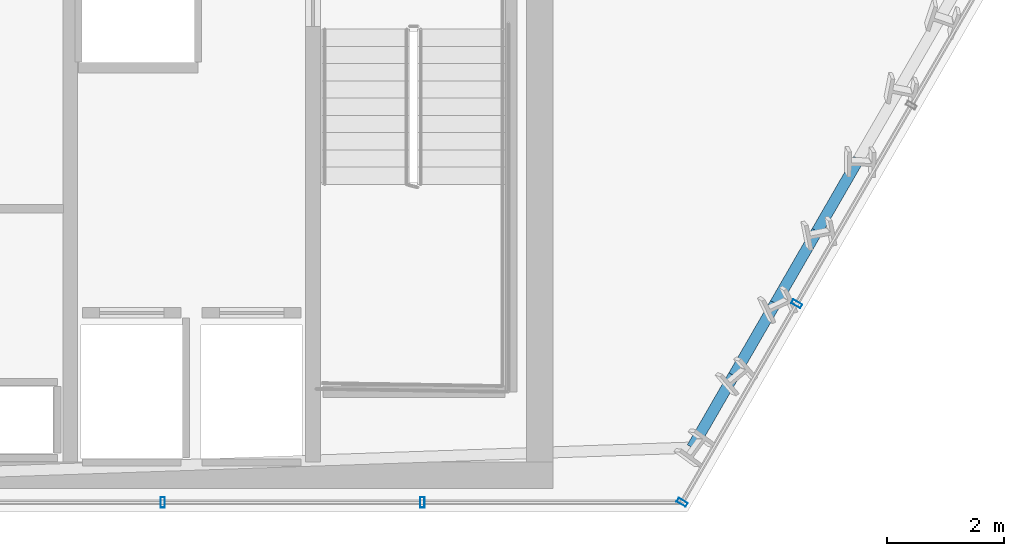
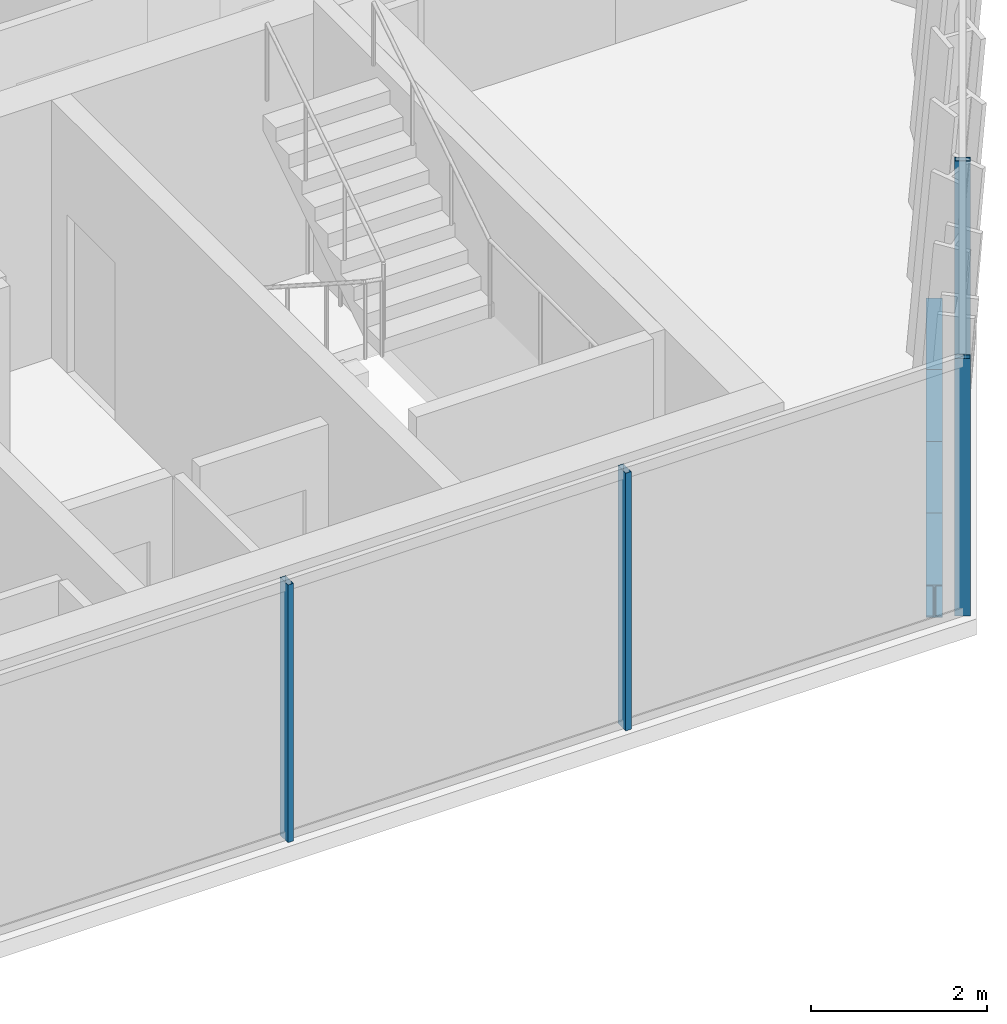
# One storey, part 15 of 31: 4 beams, 4 members, 2 elements without a shape of their own.
"""IFC4 building model written with IfcOpenShell, lengths in metres."""

from ifc_helpers import new_model, si_unit, direction, frame, origin, origin_2d, place, context, subcontext, project, spatial, hollow_rectangle, i_section, extrude, material, layer, layer_set, material_profile, profile_set, type_object, element, aggregate, save


model = new_model("IFC4")

# Units and contexts
model_context = context("Model", 3, precision=1e-05, world=origin(), true_north=direction((0.0, 1.0)))
body_context = subcontext(model_context, "Body", "Model", "MODEL_VIEW")
ifc_project = project(units=[si_unit("LENGTHUNIT", "METRE"), si_unit("AREAUNIT", "SQUARE_METRE"), si_unit("VOLUMEUNIT", "CUBIC_METRE"), si_unit("PLANEANGLEUNIT", "RADIAN"), si_unit("MASSUNIT", "GRAM", prefix="KILO")], contexts=[model_context])

# Site, building, storey
site_placement = place(None, origin())
site = spatial("IfcSite", under=ifc_project, at=site_placement, CompositionType="ELEMENT")
building_placement = place(site_placement, origin())
building = spatial("IfcBuilding", under=site, at=building_placement, Name="Ndaravel Arena Tower", CompositionType="ELEMENT")
storey_placement = place(building_placement, frame((0.0, 0.0, 146.0)))
storey = spatial("IfcBuildingStorey", under=building, at=storey_placement, Name="L34", CompositionType="ELEMENT", Elevation=146.0)

# Beams
ifc_material_1 = material(Name="Steel S355", Category="steel")
ifc_material_profile_1 = material_profile(ifc_material_1, i_section(OverallWidth=0.18994140625, OverallDepth=0.449951171875, WebThickness=0.009521484375, FlangeThickness=0.0146484375, FilletRadius=0.02099609375, at=origin_2d()), Name="IPE 450")
ifc_profile_set_1 = profile_set([ifc_material_profile_1], Name="Steel S355")
beam_type = type_object("IfcBeamType", Name="BM-SPAN-IPE450", PredefinedType="SPANDREL", material=ifc_profile_set_1)
for number, where, z_axis, x_axis, name in (
    (1, (59.931396484375, 6.096435546875, -0.445068359375), (0.500049018998, 0.865997100803, 0.0), (-0.865997100803, 0.500049018998, 0.0), "L34 Perimeter Spandrel Beam SP-02"),
    (2, (60.643310546875, 7.329345703125, -0.445068359375), (0.499920397431, 0.866071357471, 0.0), (-0.866071357471, 0.499920397431, 0.0), "L34 Perimeter Spandrel Beam SP-03"),
    (3, (61.35498046875, 8.562255859375, -0.445068359375), (0.500049018998, 0.865997100803, 0.0), (-0.865997100803, 0.500049018998, 0.0), "L34 Perimeter Spandrel Beam SP-04"),
    (4, (62.06689453125, 9.795166015625, -0.445068359375), (0.500049018998, 0.865997100803, 0.0), (-0.865997100803, 0.500049018998, 0.0), "L34 Perimeter Spandrel Beam SP-05"),
):
    element("IfcBeam", number, at=place(storey_placement, frame(where, z_axis=z_axis, x_axis=x_axis)), inside=storey, type_object=beam_type, Name=name, PredefinedType="SPANDREL", context=body_context, shape_type="SweptSolid", body=[
        extrude(i_section(OverallWidth=0.18994140625, OverallDepth=0.449951171875, WebThickness=0.009521484375, FlangeThickness=0.0146484375, FilletRadius=0.02099609375, at=origin_2d()), origin(), (0.0, 0.0, 1.0), 1.423583984375),
    ])

# Curtain wall, members
ifc_material_2 = material(Name="Aluminium", Category="aluminium")
ifc_layer_1 = layer(ifc_material_2, 0.179931640625)
ifc_layer_set_1 = layer_set([ifc_layer_1], Name="Aluminium")
curtain_wall_type_1 = type_object("IfcCurtainWallType", Name="CW-SYS-03", PredefinedType="NOTDEFINED", material=ifc_layer_set_1)
curtain_wall_1_placement = place(storey_placement, origin())
curtain_wall_1 = element("IfcCurtainWall", 5, at=curtain_wall_1_placement, inside=storey, type_object=curtain_wall_type_1, Name="L34 Faceted Crystal Curtain Wall CW-L34-E01", PredefinedType="NOTDEFINED")
ifc_material_3 = material(Name="Aluminium", Category="aluminium")
ifc_material_profile_2 = material_profile(ifc_material_3, hollow_rectangle(XDim=0.074951171875, YDim=0.179931640625, WallThickness=0.00390625, at=origin_2d()), Name="CW MULLION 75x180x4")
ifc_profile_set_2 = profile_set([ifc_material_profile_2], Name="Aluminium")
member_type = type_object("IfcMemberType", Name="MEM-CW-MUL180", PredefinedType="MULLION", material=ifc_profile_set_2)
member_1_placement = place(storey_placement, frame((50.880126953125, 5.159912109375, 0.0), z_axis=(0.0, 0.0, 1.0), x_axis=(1.0, 0.0, 0.0)))
member_1 = element("IfcMember", 6, at=member_1_placement, type_object=member_type, Name="CW-L34-E01 Mullion 06", PredefinedType="MULLION", context=body_context, shape_type="SweptSolid", body=[
    extrude(hollow_rectangle(XDim=0.074951171875, YDim=0.179931640625, WallThickness=0.00390625, at=origin_2d()), origin(), (0.0, 0.0, 1.0), 3.580078125),
])
member_2_placement = place(storey_placement, frame((55.320068359375, 5.159912109375, 0.0), z_axis=(0.0, 0.0, 1.0), x_axis=(1.0, 0.0, 0.0)))
member_2 = element("IfcMember", 7, at=member_2_placement, type_object=member_type, Name="CW-L34-E01 Mullion 07", PredefinedType="MULLION", context=body_context, shape_type="SweptSolid", body=[
    extrude(hollow_rectangle(XDim=0.074951171875, YDim=0.179931640625, WallThickness=0.00390625, at=origin_2d()), origin(), (0.0, 0.0, 1.0), 3.580078125),
])
aggregate(curtain_wall_1, [member_1, member_2])

ifc_material_4 = material(Name="Aluminium", Category="aluminium")
ifc_layer_2 = layer(ifc_material_4, 0.179931640625)
ifc_layer_set_2 = layer_set([ifc_layer_2], Name="Aluminium")
curtain_wall_type_2 = type_object("IfcCurtainWallType", Name="CW-SYS-01", PredefinedType="NOTDEFINED", material=ifc_layer_set_2)
curtain_wall_2_placement = place(storey_placement, origin())
curtain_wall_2 = element("IfcCurtainWall", 8, at=curtain_wall_2_placement, inside=storey, type_object=curtain_wall_type_2, Name="L34 Faceted Crystal Curtain Wall CW-L34-E02", PredefinedType="NOTDEFINED")
member_3_placement = place(storey_placement, frame((59.76025390625, 5.159912109375, 0.0), z_axis=(0.0, 0.0, 1.0), x_axis=(0.5, 0.866025403784, 0.0)))
member_3 = element("IfcMember", 9, at=member_3_placement, type_object=member_type, Name="CW-L34-E02 Mullion 00", PredefinedType="MULLION", context=body_context, shape_type="SweptSolid", body=[
    extrude(hollow_rectangle(XDim=0.074951171875, YDim=0.179931640625, WallThickness=0.00390625, at=origin_2d()), origin(), (0.0, 0.0, 1.0), 3.580078125),
])
member_4_placement = place(storey_placement, frame((61.719970703125, 8.554443359375, 0.0), z_axis=(0.0, 0.0, 1.0), x_axis=(0.5, 0.866025403784, 0.0)))
member_4 = element("IfcMember", 10, at=member_4_placement, type_object=member_type, Name="CW-L34-E02 Mullion 01", PredefinedType="MULLION", context=body_context, shape_type="SweptSolid", body=[
    extrude(hollow_rectangle(XDim=0.074951171875, YDim=0.179931640625, WallThickness=0.00390625, at=origin_2d()), origin(), (0.0, 0.0, 1.0), 3.580078125),
])
aggregate(curtain_wall_2, [member_3, member_4])

save(model, "model.ifc")
